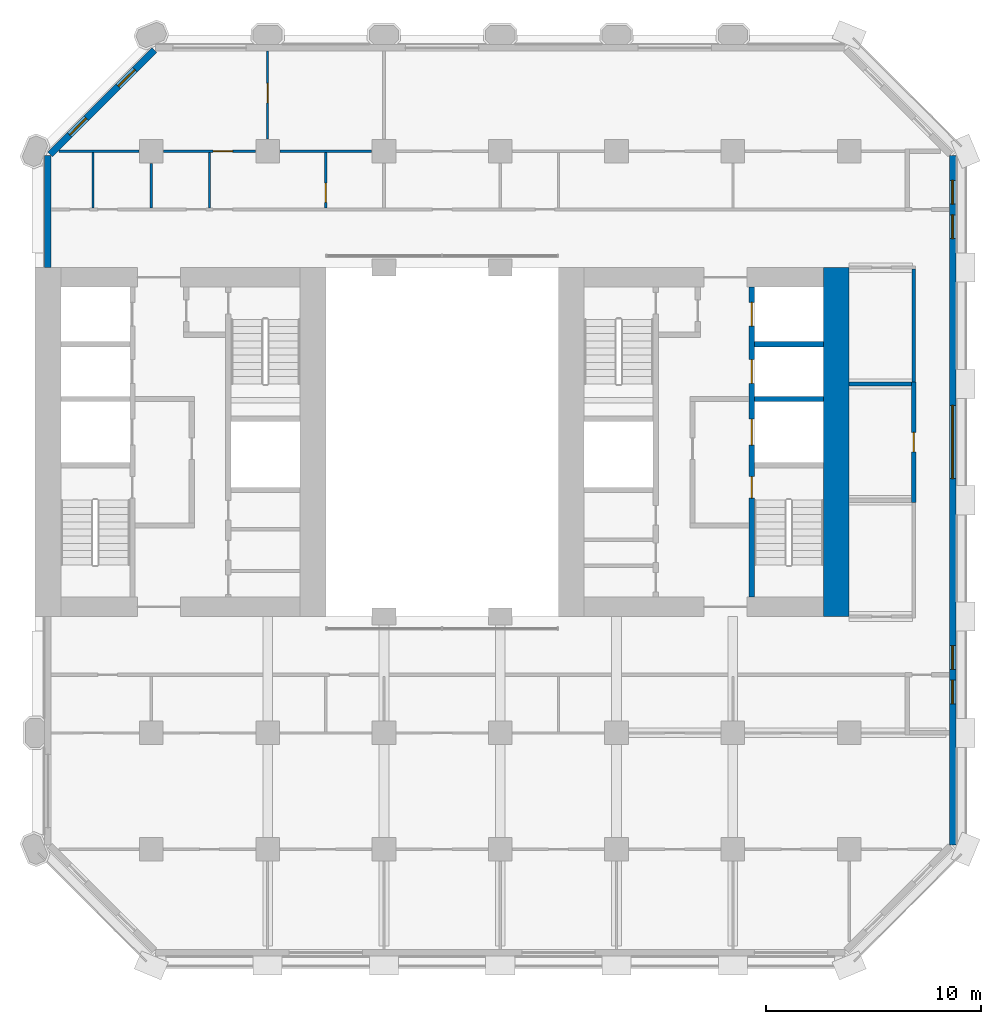
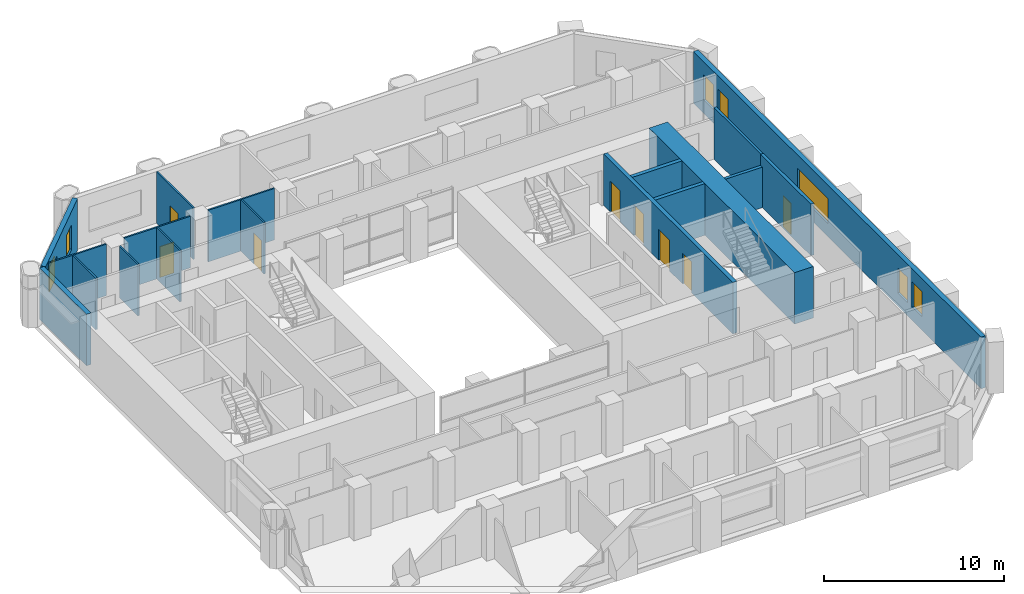
# One storey, part 10 of 14: 18 walls, 8 doors, 7 windows, 15 openings.
"""IFC4 building model written with IfcOpenShell, lengths in metres."""

from ifc_helpers import new_model, si_unit, direction, frame, frame_2d, origin, place, context, subcontext, project, spatial, rectangle, extrude, material, layer, layer_set, type_object, element, fill, save


model = new_model("IFC4")

# Units and contexts
model_context = context("Model", 3, precision=1e-05, world=origin(), true_north=direction((0.0, 1.0)))
body_context = subcontext(model_context, "Body", "Model", "MODEL_VIEW")
ifc_project = project(units=[si_unit("LENGTHUNIT", "METRE"), si_unit("AREAUNIT", "SQUARE_METRE"), si_unit("VOLUMEUNIT", "CUBIC_METRE"), si_unit("PLANEANGLEUNIT", "RADIAN"), si_unit("MASSUNIT", "GRAM", prefix="KILO")], contexts=[model_context])

# Site, building, storey
site_placement = place(None, origin())
site = spatial("IfcSite", under=ifc_project, at=site_placement, CompositionType="ELEMENT")
building_placement = place(site_placement, origin())
building = spatial("IfcBuilding", under=site, at=building_placement, Name="Tabaq Tower and Sports Hall", CompositionType="ELEMENT")
storey_placement = place(building_placement, frame((0.0, 0.0, 52.60009765625)))
storey = spatial("IfcBuildingStorey", under=building, at=storey_placement, Name="L11", CompositionType="ELEMENT", Elevation=52.60009765625)

# Wall
ifc_material_1 = material(Name="Concrete C60/75", Category="concrete")
ifc_layer_1 = layer(ifc_material_1, 1.199951171875)
ifc_layer_set_1 = layer_set([ifc_layer_1], Name="Core wall 1200 Concrete C60/75")
wall_type_1 = type_object("IfcWallType", Name="Core wall 1200 Concrete C60/75", PredefinedType="SOLIDWALL", material=ifc_layer_set_1)
wall_1_placement = place(storey_placement, frame((42.60009765625, 32.39990234375, 0.0), z_axis=(0.0, 0.0, 1.0), x_axis=(0.0, -1.0, 0.0)))
element("IfcWall", 1, at=wall_1_placement, inside=storey, type_object=wall_type_1, Name="Core wall E L11", PredefinedType="SOLIDWALL", context=body_context, shape_type="SweptSolid", body=[
    extrude(rectangle(XDim=16.199951171875, YDim=1.199951171875, at=frame_2d((8.10009765625, 0.0))), origin(), (0.0, 0.0, 1.0), 3.5),
])

# Wall, opening, door
ifc_material_2 = material(Name="Blockwork", Category="masonry")
ifc_layer_2 = layer(ifc_material_2, 0.199951171875)
ifc_layer_set_2 = layer_set([ifc_layer_2], Name="Fire compartment wall 200 Blockwork")
wall_type_2 = type_object("IfcWallType", Name="Fire compartment wall 200 Blockwork", PredefinedType="PARTITIONING", material=ifc_layer_set_2)
wall_2_placement = place(storey_placement, frame((46.199951171875, 27.10009765625, 0.0), z_axis=(0.0, 0.0, 1.0), x_axis=(0.0, -1.0, 0.0)))
wall_2 = element("IfcWall", 2, at=wall_2_placement, inside=storey, type_object=wall_type_2, Name="Compartment wall L11", PredefinedType="PARTITIONING", context=body_context, shape_type="SweptSolid", body=[
    extrude(rectangle(XDim=5.60009765625, YDim=0.199951171875, at=frame_2d((2.800048828125, 0.0))), origin(), (0.0, 0.0, 1.0), 3.5),
])
opening_1_placement = place(wall_2_placement, frame((2.35009765625, 0.0, 0.0)))
opening_1 = element("IfcOpeningElement", 3, at=opening_1_placement, cuts=wall_2, Name="Opening L11-009", PredefinedType="OPENING", context=body_context, shape_type="SweptSolid", body=[
    extrude(rectangle(XDim=0.89990234375, YDim=2.10009765625, at=frame_2d((0.449951171875, 1.050048828125))), frame((0.0, 0.10009765625, 0.0), z_axis=(0.0, -1.0, 0.0), x_axis=(1.0, 0.0, 0.0)), (0.0, 0.0, 1.0), 0.199951171875),
])
ifc_material_3 = material(Name="Steel fire door", Category="steel")
door_type_1 = type_object("IfcDoorType", Name="Plant room door 900 right hand", OperationType="SINGLE_SWING_RIGHT", PredefinedType="DOOR", material=ifc_material_3)
door_1_placement = place(opening_1_placement, origin())
door_1 = element("IfcDoor", 4, at=door_1_placement, inside=storey, type_object=door_type_1, Name="Plant room door L11-009", OperationType="SINGLE_SWING_RIGHT", OverallHeight=2.10009765625, OverallWidth=0.89990234375, PredefinedType="DOOR", context=body_context, shape_type="SweptSolid", body=[
    extrude(rectangle(XDim=0.89990234375, YDim=2.10009765625, at=frame_2d((0.449951171875, 1.050048828125))), frame((0.0, 0.02490234375, 0.0), z_axis=(0.0, -1.0, 0.0), x_axis=(1.0, 0.0, 0.0)), (0.0, 0.0, 1.0), 0.050048828125),
])
fill(opening_1, door_1)

# Walls
wall_3_placement = place(storey_placement, frame((46.10009765625, 27.0, 0.0), z_axis=(0.0, 0.0, 1.0), x_axis=(-1.0, 0.0, 0.0)))
element("IfcWall", 5, at=wall_3_placement, inside=storey, type_object=wall_type_2, Name="Compartment wall L11", PredefinedType="PARTITIONING", context=body_context, shape_type="SweptSolid", body=[
    extrude(rectangle(XDim=2.900146484375, YDim=0.199951171875, at=frame_2d((1.4501953125, 0.0))), origin(), (0.0, 0.0, 1.0), 2.75),
])
ifc_material_4 = material(Name="Gypsum board on steel studs", Category="steel")
ifc_layer_3 = layer(ifc_material_4, 0.10009765625)
ifc_layer_set_3 = layer_set([ifc_layer_3], Name="Partition 100 Gypsum board")
wall_type_3 = type_object("IfcWallType", Name="Partition 100 Gypsum board", PredefinedType="PARTITIONING", material=ifc_layer_set_3)
wall_4_placement = place(storey_placement, frame((8.10009765625, 35.175048828125, 0.0), z_axis=(0.0, 0.0, 1.0), x_axis=(0.0, 1.0, 0.0)))
element("IfcWall", 6, at=wall_4_placement, inside=storey, type_object=wall_type_3, Name="Partition wall L11", PredefinedType="PARTITIONING", context=body_context, shape_type="SweptSolid", body=[
    extrude(rectangle(XDim=2.574951171875, YDim=0.10009765625, at=frame_2d((1.28759765625, 0.0))), origin(), (0.0, 0.0, 1.0), 3.5),
])
wall_5_placement = place(storey_placement, frame((10.800048828125, 35.175048828125, 0.0), z_axis=(0.0, 0.0, 1.0), x_axis=(0.0, 1.0, 0.0)))
element("IfcWall", 7, at=wall_5_placement, inside=storey, type_object=wall_type_3, Name="Partition wall L11", PredefinedType="PARTITIONING", context=body_context, shape_type="SweptSolid", body=[
    extrude(rectangle(XDim=2.054931640625, YDim=0.10009765625, at=frame_2d((1.02734375, 0.0))), origin(), (0.0, 0.0, 1.0), 3.5),
])
wall_6_placement = place(storey_placement, frame((10.22998046875, 37.800048828125, 0.0), z_axis=(0.0, 0.0, 1.0), x_axis=(-1.0, 0.0, 0.0)))
element("IfcWall", 8, at=wall_6_placement, inside=storey, type_object=wall_type_3, Name="Partition wall L11", PredefinedType="PARTITIONING", context=body_context, shape_type="SweptSolid", body=[
    extrude(rectangle(XDim=3.7177734375, YDim=0.10009765625, at=frame_2d((1.85888671875, 0.0))), origin(), (0.0, 0.0, 1.0), 3.5),
])
wall_7_placement = place(storey_placement, frame((13.5, 35.175048828125, 0.0), z_axis=(0.0, 0.0, 1.0), x_axis=(0.0, 1.0, 0.0)))
element("IfcWall", 9, at=wall_7_placement, inside=storey, type_object=wall_type_3, Name="Partition wall L11", PredefinedType="PARTITIONING", context=body_context, shape_type="SweptSolid", body=[
    extrude(rectangle(XDim=2.574951171875, YDim=0.10009765625, at=frame_2d((1.28759765625, 0.0))), origin(), (0.0, 0.0, 1.0), 3.5),
])

# Wall, opening, door
wall_8_placement = place(storey_placement, frame((18.89990234375, 35.175048828125, 0.0), z_axis=(0.0, 0.0, 1.0), x_axis=(0.0, 1.0, 0.0)))
wall_8 = element("IfcWall", 10, at=wall_8_placement, inside=storey, type_object=wall_type_3, Name="Partition wall L11", PredefinedType="PARTITIONING", context=body_context, shape_type="SweptSolid", body=[
    extrude(rectangle(XDim=2.574951171875, YDim=0.10009765625, at=frame_2d((1.28759765625, 0.0))), origin(), (0.0, 0.0, 1.0), 3.5),
])
opening_2_placement = place(wall_8_placement, frame((0.25, 0.0, 0.0)))
opening_2 = element("IfcOpeningElement", 11, at=opening_2_placement, cuts=wall_8, Name="Opening L11-011", PredefinedType="OPENING", context=body_context, shape_type="SweptSolid", body=[
    extrude(rectangle(XDim=0.89990234375, YDim=2.10009765625, at=frame_2d((0.449951171875, 1.050048828125))), frame((0.0, 0.050048828125, 0.0), z_axis=(0.0, -1.0, 0.0), x_axis=(1.0, 0.0, 0.0)), (0.0, 0.0, 1.0), 0.10009765625),
])
ifc_material_5 = material(Name="Timber leaf in steel frame", Category="steel")
door_type_2 = type_object("IfcDoorType", Name="Internal door 900 left hand", OperationType="SINGLE_SWING_LEFT", PredefinedType="DOOR", material=ifc_material_5)
door_2_placement = place(opening_2_placement, origin())
door_2 = element("IfcDoor", 12, at=door_2_placement, inside=storey, type_object=door_type_2, Name="Internal door L11-011", OperationType="SINGLE_SWING_LEFT", OverallHeight=2.10009765625, OverallWidth=0.89990234375, PredefinedType="DOOR", context=body_context, shape_type="SweptSolid", body=[
    extrude(rectangle(XDim=0.89990234375, YDim=2.10009765625, at=frame_2d((0.449951171875, 1.050048828125))), frame((0.0, 0.02490234375, 0.0), z_axis=(0.0, -1.0, 0.0), x_axis=(1.0, 0.0, 0.0)), (0.0, 0.0, 1.0), 0.050048828125),
])
fill(opening_2, door_2)

wall_9_placement = place(storey_placement, frame((15.6298828125, 37.800048828125, 0.0), z_axis=(0.0, 0.0, 1.0), x_axis=(-1.0, 0.0, 0.0)))
wall_9 = element("IfcWall", 13, at=wall_9_placement, inside=storey, type_object=wall_type_3, Name="Partition wall L11", PredefinedType="PARTITIONING", context=body_context, shape_type="SweptSolid", body=[
    extrude(rectangle(XDim=4.259765625, YDim=0.10009765625, at=frame_2d((2.1298828125, 0.0))), origin(), (0.0, 0.0, 1.0), 3.5),
])
opening_3_placement = place(wall_9_placement, frame((1.06005859375, 0.0, 0.0)))
opening_3 = element("IfcOpeningElement", 14, at=opening_3_placement, cuts=wall_9, Name="Opening L11-028", PredefinedType="OPENING", context=body_context, shape_type="SweptSolid", body=[
    extrude(rectangle(XDim=0.89990234375, YDim=2.10009765625, at=frame_2d((0.449951171875, 1.050048828125))), frame((0.0, 0.050048828125, 0.0), z_axis=(0.0, -1.0, 0.0), x_axis=(1.0, 0.0, 0.0)), (0.0, 0.0, 1.0), 0.10009765625),
])
door_3_placement = place(opening_3_placement, origin())
door_3 = element("IfcDoor", 15, at=door_3_placement, inside=storey, type_object=door_type_2, Name="Internal door L11-028", OperationType="SINGLE_SWING_LEFT", OverallHeight=2.10009765625, OverallWidth=0.89990234375, PredefinedType="DOOR", context=body_context, shape_type="SweptSolid", body=[
    extrude(rectangle(XDim=0.89990234375, YDim=2.10009765625, at=frame_2d((0.449951171875, 1.050048828125))), frame((0.0, 0.02490234375, 0.0), z_axis=(0.0, -1.0, 0.0), x_axis=(1.0, 0.0, 0.0)), (0.0, 0.0, 1.0), 0.050048828125),
])
fill(opening_3, door_3)

# Wall
wall_10_placement = place(storey_placement, frame((21.030029296875, 37.800048828125, 0.0), z_axis=(0.0, 0.0, 1.0), x_axis=(-1.0, 0.0, 0.0)))
element("IfcWall", 16, at=wall_10_placement, inside=storey, type_object=wall_type_3, Name="Partition wall L11", PredefinedType="PARTITIONING", context=body_context, shape_type="SweptSolid", body=[
    extrude(rectangle(XDim=4.260009765625, YDim=0.10009765625, at=frame_2d((2.1298828125, 0.0))), origin(), (0.0, 0.0, 1.0), 3.5),
])

# Wall, opening, door
wall_11_placement = place(storey_placement, frame((16.199951171875, 38.3701171875, 0.0), z_axis=(0.0, 0.0, 1.0), x_axis=(0.0, 1.0, 0.0)))
wall_11 = element("IfcWall", 17, at=wall_11_placement, inside=storey, type_object=wall_type_3, Name="Partition wall L11", PredefinedType="PARTITIONING", context=body_context, shape_type="SweptSolid", body=[
    extrude(rectangle(XDim=4.078857421875, YDim=0.10009765625, at=frame_2d((2.03955078125, 0.0))), origin(), (0.0, 0.0, 1.0), 3.5),
])
opening_4_placement = place(wall_11_placement, frame((1.679931640625, 0.0, 0.0)))
opening_4 = element("IfcOpeningElement", 18, at=opening_4_placement, cuts=wall_11, Name="Opening L11-012", PredefinedType="OPENING", context=body_context, shape_type="SweptSolid", body=[
    extrude(rectangle(XDim=0.89990234375, YDim=2.10009765625, at=frame_2d((0.449951171875, 1.050048828125))), frame((0.0, 0.050048828125, 0.0), z_axis=(0.0, -1.0, 0.0), x_axis=(1.0, 0.0, 0.0)), (0.0, 0.0, 1.0), 0.10009765625),
])
door_4_placement = place(opening_4_placement, origin())
door_4 = element("IfcDoor", 19, at=door_4_placement, inside=storey, type_object=door_type_2, Name="Internal door L11-012", OperationType="SINGLE_SWING_LEFT", OverallHeight=2.10009765625, OverallWidth=0.89990234375, PredefinedType="DOOR", context=body_context, shape_type="SweptSolid", body=[
    extrude(rectangle(XDim=0.89990234375, YDim=2.10009765625, at=frame_2d((0.449951171875, 1.050048828125))), frame((0.0, 0.02490234375, 0.0), z_axis=(0.0, -1.0, 0.0), x_axis=(1.0, 0.0, 0.0)), (0.0, 0.0, 1.0), 0.050048828125),
])
fill(opening_4, door_4)

# Wall
ifc_material_6 = material(Name="Blockwork", Category="masonry")
ifc_layer_4 = layer(ifc_material_6, 0.14990234375)
ifc_layer_set_4 = layer_set([ifc_layer_4], Name="Separating wall 150 Blockwork")
wall_type_4 = type_object("IfcWallType", Name="Separating wall 150 Blockwork", PredefinedType="PARTITIONING", material=ifc_layer_set_4)
wall_12_placement = place(storey_placement, frame((46.199951171875, 32.324951171875, 0.0), z_axis=(0.0, 0.0, 1.0), x_axis=(0.0, -1.0, 0.0)))
element("IfcWall", 20, at=wall_12_placement, inside=storey, type_object=wall_type_4, Name="Separating wall L11", PredefinedType="PARTITIONING", context=body_context, shape_type="SweptSolid", body=[
    extrude(rectangle(XDim=5.224853515625, YDim=0.14990234375, at=frame_2d((2.6123046875, 0.0))), origin(), (0.0, 0.0, 1.0), 3.5),
])

# Wall, openings, doors
ifc_material_7 = material(Name="Concrete C40/50", Category="concrete")
ifc_layer_5 = layer(ifc_material_7, 0.25)
ifc_layer_set_5 = layer_set([ifc_layer_5], Name="Shaft and stair wall 250 Concrete C40/50")
wall_type_5 = type_object("IfcWallType", Name="Shaft and stair wall 250 Concrete C40/50", PredefinedType="SOLIDWALL", material=ifc_layer_set_5)
wall_13_placement = place(storey_placement, frame((38.675048828125, 17.10009765625, 0.0), z_axis=(0.0, 0.0, 1.0), x_axis=(0.0, 1.0, 0.0)))
wall_13 = element("IfcWall", 21, at=wall_13_placement, inside=storey, type_object=wall_type_5, Name="Shaft wall E L11", PredefinedType="SOLIDWALL", context=body_context, shape_type="SweptSolid", body=[
    extrude(rectangle(XDim=14.39990234375, YDim=0.25, at=frame_2d((7.199951171875, 0.0))), origin(), (0.0, 0.0, 1.0), 3.5),
])
opening_5_placement = place(wall_13_placement, frame((4.60009765625, 0.0, 0.0)))
opening_5 = element("IfcOpeningElement", 22, at=opening_5_placement, cuts=wall_13, Name="Opening SD-EL11-03", PredefinedType="OPENING", context=body_context, shape_type="SweptSolid", body=[
    extrude(rectangle(XDim=1.0, YDim=2.10009765625, at=frame_2d((0.5, 1.050048828125))), frame((0.0, 0.125, 0.0), z_axis=(0.0, -1.0, 0.0), x_axis=(1.0, 0.0, 0.0)), (0.0, 0.0, 1.0), 0.25),
])
opening_6_placement = place(wall_13_placement, frame((7.0625, 0.0, 0.0)))
opening_6 = element("IfcOpeningElement", 23, at=opening_6_placement, cuts=wall_13, Name="Opening LD-FF2-L11", PredefinedType="OPENING", context=body_context, shape_type="SweptSolid", body=[
    extrude(rectangle(XDim=1.199951171875, YDim=2.10009765625, at=frame_2d((0.60009765625, 1.050048828125))), frame((0.0, 0.125, 0.0), z_axis=(0.0, -1.0, 0.0), x_axis=(1.0, 0.0, 0.0)), (0.0, 0.0, 1.0), 0.25),
])
opening_7_placement = place(wall_13_placement, frame((9.925048828125, 0.0, 0.0)))
opening_7 = element("IfcOpeningElement", 24, at=opening_7_placement, cuts=wall_13, Name="Opening LD-LR3-L11", PredefinedType="OPENING", context=body_context, shape_type="SweptSolid", body=[
    extrude(rectangle(XDim=1.10009765625, YDim=2.10009765625, at=frame_2d((0.550048828125, 1.050048828125))), frame((0.0, 0.125, 0.0), z_axis=(0.0, -1.0, 0.0), x_axis=(1.0, 0.0, 0.0)), (0.0, 0.0, 1.0), 0.25),
])
opening_8_placement = place(wall_13_placement, frame((12.58740234375, 0.0, 0.0)))
opening_8 = element("IfcOpeningElement", 25, at=opening_8_placement, cuts=wall_13, Name="Opening LD-LR4-L11", PredefinedType="OPENING", context=body_context, shape_type="SweptSolid", body=[
    extrude(rectangle(XDim=1.10009765625, YDim=2.10009765625, at=frame_2d((0.550048828125, 1.050048828125))), frame((0.0, 0.125, 0.0), z_axis=(0.0, -1.0, 0.0), x_axis=(1.0, 0.0, 0.0)), (0.0, 0.0, 1.0), 0.25),
])
ifc_material_8 = material(Name="Stainless steel", Category="steel")
door_type_3 = type_object("IfcDoorType", Name="Lift landing door 1100", OperationType="DOUBLE_DOOR_SLIDING", PredefinedType="DOOR", material=ifc_material_8)
door_5_placement = place(opening_7_placement, origin())
door_5 = element("IfcDoor", 26, at=door_5_placement, inside=storey, type_object=door_type_3, Name="Lift landing door LR3 E L11", OperationType="DOUBLE_DOOR_SLIDING", OverallHeight=2.10009765625, OverallWidth=1.10009765625, PredefinedType="DOOR", context=body_context, shape_type="SweptSolid", body=[
    extrude(rectangle(XDim=1.10009765625, YDim=2.10009765625, at=frame_2d((0.550048828125, 1.050048828125))), frame((0.0, 0.02490234375, 0.0), z_axis=(0.0, -1.0, 0.0), x_axis=(1.0, 0.0, 0.0)), (0.0, 0.0, 1.0), 0.050048828125),
])
fill(opening_7, door_5)
door_6_placement = place(opening_8_placement, origin())
door_6 = element("IfcDoor", 27, at=door_6_placement, inside=storey, type_object=door_type_3, Name="Lift landing door LR4 E L11", OperationType="DOUBLE_DOOR_SLIDING", OverallHeight=2.10009765625, OverallWidth=1.10009765625, PredefinedType="DOOR", context=body_context, shape_type="SweptSolid", body=[
    extrude(rectangle(XDim=1.10009765625, YDim=2.10009765625, at=frame_2d((0.550048828125, 1.050048828125))), frame((0.0, 0.02490234375, 0.0), z_axis=(0.0, -1.0, 0.0), x_axis=(1.0, 0.0, 0.0)), (0.0, 0.0, 1.0), 0.050048828125),
])
fill(opening_8, door_6)
ifc_material_9 = material(Name="Stainless steel", Category="steel")
door_type_4 = type_object("IfcDoorType", Name="Lift landing door 1200", OperationType="DOUBLE_DOOR_SLIDING", PredefinedType="DOOR", material=ifc_material_9)
door_7_placement = place(opening_6_placement, origin())
door_7 = element("IfcDoor", 28, at=door_7_placement, inside=storey, type_object=door_type_4, Name="Lift landing door FF2 E L11", OperationType="DOUBLE_DOOR_SLIDING", OverallHeight=2.10009765625, OverallWidth=1.199951171875, PredefinedType="DOOR", context=body_context, shape_type="SweptSolid", body=[
    extrude(rectangle(XDim=1.199951171875, YDim=2.10009765625, at=frame_2d((0.60009765625, 1.050048828125))), frame((0.0, 0.02490234375, 0.0), z_axis=(0.0, -1.0, 0.0), x_axis=(1.0, 0.0, 0.0)), (0.0, 0.0, 1.0), 0.050048828125),
])
fill(opening_6, door_7)
ifc_material_10 = material(Name="Steel fire door", Category="steel")
door_type_5 = type_object("IfcDoorType", Name="Stair door 1000", OperationType="SINGLE_SWING_LEFT", PredefinedType="DOOR", material=ifc_material_10)
door_8_placement = place(opening_5_placement, origin())
door_8 = element("IfcDoor", 29, at=door_8_placement, inside=storey, type_object=door_type_5, Name="Stair door ST3 E L11", OperationType="SINGLE_SWING_LEFT", OverallHeight=2.10009765625, OverallWidth=1.0, PredefinedType="DOOR", context=body_context, shape_type="SweptSolid", body=[
    extrude(rectangle(XDim=1.0, YDim=2.10009765625, at=frame_2d((0.5, 1.050048828125))), frame((0.0, 0.02490234375, 0.0), z_axis=(0.0, -1.0, 0.0), x_axis=(1.0, 0.0, 0.0)), (0.0, 0.0, 1.0), 0.050048828125),
])
fill(opening_5, door_8)

# Walls
for number, where, z_axis, x_axis, name in (
    (30, (38.800048828125, 26.300048828125, 0.0), (0.0, 0.0, 1.0), (1.0, 0.0, 0.0), "Shaft wall E L11"),
    (31, (38.800048828125, 28.85009765625, 0.0), (0.0, 0.0, 1.0), (1.0, 0.0, 0.0), "Shaft wall E L11"),
):
    element("IfcWall", number, at=place(storey_placement, frame(where, z_axis=z_axis, x_axis=x_axis)), inside=storey, type_object=wall_type_5, Name=name, PredefinedType="SOLIDWALL", context=body_context, shape_type="SweptSolid", body=[
        extrude(rectangle(XDim=3.199951171875, YDim=0.25, at=frame_2d((1.60009765625, 0.0))), origin(), (0.0, 0.0, 1.0), 3.5),
    ])

# Wall, openings, windows
ifc_material_11 = material(Name="White precast concrete C60/75", Category="concrete")
ifc_layer_6 = layer(ifc_material_11, 0.300048828125)
ifc_layer_set_6 = layer_set([ifc_layer_6], Name="White precast concrete C60/75 external wall 300")
wall_type_6 = type_object("IfcWallType", Name="White precast concrete C60/75 external wall 300", PredefinedType="SOLIDWALL", material=ifc_layer_set_6)
wall_14_placement = place(storey_placement, frame((48.0, 5.58642578125, 0.0), z_axis=(0.0, 0.0, 1.0), x_axis=(0.0, 1.0, 0.0)))
wall_14 = element("IfcWall", 32, at=wall_14_placement, inside=storey, type_object=wall_type_6, Name="External Wall L11 E", PredefinedType="SOLIDWALL", context=body_context, shape_type="SweptSolid", body=[
    extrude(rectangle(XDim=32.027099609375, YDim=0.300048828125, at=frame_2d((16.013671875, 0.0))), origin(), (0.0, 0.0, 1.0), 3.5),
])
opening_9_placement = place(wall_14_placement, frame((6.563720703125, 0.0, 0.89990234375)))
opening_9 = element("IfcOpeningElement", 33, at=opening_9_placement, cuts=wall_14, Name="Opening W1B", PredefinedType="OPENING", context=body_context, shape_type="SweptSolid", body=[
    extrude(rectangle(XDim=1.10009765625, YDim=1.699951171875, at=frame_2d((0.550048828125, 0.85009765625))), frame((0.0, 0.16015625, 0.0), z_axis=(0.0, -1.0, 0.0), x_axis=(1.0, 0.0, 0.0)), (0.0, 0.0, 1.0), 0.320068359375),
])
opening_10_placement = place(wall_14_placement, frame((8.16357421875, 0.0, 0.89990234375)))
opening_10 = element("IfcOpeningElement", 34, at=opening_10_placement, cuts=wall_14, Name="Opening W1B", PredefinedType="OPENING", context=body_context, shape_type="SweptSolid", body=[
    extrude(rectangle(XDim=1.10009765625, YDim=1.699951171875, at=frame_2d((0.550048828125, 0.85009765625))), frame((0.0, 0.16015625, 0.0), z_axis=(0.0, -1.0, 0.0), x_axis=(1.0, 0.0, 0.0)), (0.0, 0.0, 1.0), 0.320068359375),
])
opening_11_placement = place(wall_14_placement, frame((17.013671875, 0.0, 0.89990234375)))
opening_11 = element("IfcOpeningElement", 35, at=opening_11_placement, cuts=wall_14, Name="Opening W1A", PredefinedType="OPENING", context=body_context, shape_type="SweptSolid", body=[
    extrude(rectangle(XDim=3.39990234375, YDim=1.699951171875, at=frame_2d((1.699951171875, 0.85009765625))), frame((0.0, 0.16015625, 0.0), z_axis=(0.0, -1.0, 0.0), x_axis=(1.0, 0.0, 0.0)), (0.0, 0.0, 1.0), 0.320068359375),
])
opening_12_placement = place(wall_14_placement, frame((28.16357421875, 0.0, 0.89990234375)))
opening_12 = element("IfcOpeningElement", 36, at=opening_12_placement, cuts=wall_14, Name="Opening W1B", PredefinedType="OPENING", context=body_context, shape_type="SweptSolid", body=[
    extrude(rectangle(XDim=1.10009765625, YDim=1.699951171875, at=frame_2d((0.550048828125, 0.85009765625))), frame((0.0, 0.16015625, 0.0), z_axis=(0.0, -1.0, 0.0), x_axis=(1.0, 0.0, 0.0)), (0.0, 0.0, 1.0), 0.320068359375),
])
opening_13_placement = place(wall_14_placement, frame((29.763671875, 0.0, 0.89990234375)))
opening_13 = element("IfcOpeningElement", 37, at=opening_13_placement, cuts=wall_14, Name="Opening W1B", PredefinedType="OPENING", context=body_context, shape_type="SweptSolid", body=[
    extrude(rectangle(XDim=1.10009765625, YDim=1.699951171875, at=frame_2d((0.550048828125, 0.85009765625))), frame((0.0, 0.16015625, 0.0), z_axis=(0.0, -1.0, 0.0), x_axis=(1.0, 0.0, 0.0)), (0.0, 0.0, 1.0), 0.320068359375),
])
ifc_material_12 = material(Name="Aluminium framed clear glazing", Category="aluminium")
window_type_1 = type_object("IfcWindowType", Name="Window W1A", PartitioningType="SINGLE_PANEL", PredefinedType="WINDOW", material=ifc_material_12)
window_1_placement = place(opening_11_placement, origin())
window_1 = element("IfcWindow", 38, at=window_1_placement, inside=storey, type_object=window_type_1, Name="Window W1A L11", OverallHeight=1.699951171875, OverallWidth=3.39990234375, PartitioningType="SINGLE_PANEL", PredefinedType="WINDOW", context=body_context, shape_type="SweptSolid", body=[
    extrude(rectangle(XDim=3.39990234375, YDim=1.699951171875, at=frame_2d((1.699951171875, 0.85009765625))), frame((0.0, 0.030029296875, 0.0), z_axis=(0.0, -1.0, 0.0), x_axis=(1.0, 0.0, 0.0)), (0.0, 0.0, 1.0), 0.06005859375),
])
fill(opening_11, window_1)
ifc_material_13 = material(Name="Aluminium framed clear glazing", Category="aluminium")
window_type_2 = type_object("IfcWindowType", Name="Window W1B", PartitioningType="SINGLE_PANEL", PredefinedType="WINDOW", material=ifc_material_13)
window_2_placement = place(opening_9_placement, origin())
window_2 = element("IfcWindow", 39, at=window_2_placement, inside=storey, type_object=window_type_2, Name="Window W1B L11", OverallHeight=1.699951171875, OverallWidth=1.10009765625, PartitioningType="SINGLE_PANEL", PredefinedType="WINDOW", context=body_context, shape_type="SweptSolid", body=[
    extrude(rectangle(XDim=1.10009765625, YDim=1.699951171875, at=frame_2d((0.550048828125, 0.85009765625))), frame((0.0, 0.030029296875, 0.0), z_axis=(0.0, -1.0, 0.0), x_axis=(1.0, 0.0, 0.0)), (0.0, 0.0, 1.0), 0.06005859375),
])
fill(opening_9, window_2)
window_3_placement = place(opening_10_placement, origin())
window_3 = element("IfcWindow", 40, at=window_3_placement, inside=storey, type_object=window_type_2, Name="Window W1B L11", OverallHeight=1.699951171875, OverallWidth=1.10009765625, PartitioningType="SINGLE_PANEL", PredefinedType="WINDOW", context=body_context, shape_type="SweptSolid", body=[
    extrude(rectangle(XDim=1.10009765625, YDim=1.699951171875, at=frame_2d((0.550048828125, 0.85009765625))), frame((0.0, 0.030029296875, 0.0), z_axis=(0.0, -1.0, 0.0), x_axis=(1.0, 0.0, 0.0)), (0.0, 0.0, 1.0), 0.06005859375),
])
fill(opening_10, window_3)
window_4_placement = place(opening_12_placement, origin())
window_4 = element("IfcWindow", 41, at=window_4_placement, inside=storey, type_object=window_type_2, Name="Window W1B L11", OverallHeight=1.699951171875, OverallWidth=1.10009765625, PartitioningType="SINGLE_PANEL", PredefinedType="WINDOW", context=body_context, shape_type="SweptSolid", body=[
    extrude(rectangle(XDim=1.10009765625, YDim=1.699951171875, at=frame_2d((0.550048828125, 0.85009765625))), frame((0.0, 0.030029296875, 0.0), z_axis=(0.0, -1.0, 0.0), x_axis=(1.0, 0.0, 0.0)), (0.0, 0.0, 1.0), 0.06005859375),
])
fill(opening_12, window_4)
window_5_placement = place(opening_13_placement, origin())
window_5 = element("IfcWindow", 42, at=window_5_placement, inside=storey, type_object=window_type_2, Name="Window W1B L11", OverallHeight=1.699951171875, OverallWidth=1.10009765625, PartitioningType="SINGLE_PANEL", PredefinedType="WINDOW", context=body_context, shape_type="SweptSolid", body=[
    extrude(rectangle(XDim=1.10009765625, YDim=1.699951171875, at=frame_2d((0.550048828125, 0.85009765625))), frame((0.0, 0.030029296875, 0.0), z_axis=(0.0, -1.0, 0.0), x_axis=(1.0, 0.0, 0.0)), (0.0, 0.0, 1.0), 0.06005859375),
])
fill(opening_13, window_5)

wall_15_placement = place(storey_placement, frame((10.949462890625, 42.5009765625, 0.0), z_axis=(0.0, 0.0, 1.0), x_axis=(-0.707106781187, -0.707106781187, 0.0)))
wall_15 = element("IfcWall", 43, at=wall_15_placement, inside=storey, type_object=wall_type_6, Name="External Wall L11 NW", PredefinedType="SOLIDWALL", context=body_context, shape_type="SweptSolid", body=[
    extrude(rectangle(XDim=6.85986328125, YDim=0.300048828125, at=frame_2d((3.429931640625, 0.0))), origin(), (0.0, 0.0, 1.0), 3.5),
])
opening_14_placement = place(wall_15_placement, frame((1.27978515625, 0.0, 0.89990234375)))
opening_14 = element("IfcOpeningElement", 44, at=opening_14_placement, cuts=wall_15, Name="Opening W1B", PredefinedType="OPENING", context=body_context, shape_type="SweptSolid", body=[
    extrude(rectangle(XDim=1.10009765625, YDim=1.699951171875, at=frame_2d((0.550048828125, 0.85009765625))), frame((0.0, 0.16015625, 0.0), z_axis=(0.0, -1.0, 0.0), x_axis=(1.0, 0.0, 0.0)), (0.0, 0.0, 1.0), 0.320068359375),
])
opening_15_placement = place(wall_15_placement, frame((4.479736328125, 0.0, 0.89990234375)))
opening_15 = element("IfcOpeningElement", 45, at=opening_15_placement, cuts=wall_15, Name="Opening W1B", PredefinedType="OPENING", context=body_context, shape_type="SweptSolid", body=[
    extrude(rectangle(XDim=1.10009765625, YDim=1.699951171875, at=frame_2d((0.550048828125, 0.85009765625))), frame((0.0, 0.16015625, 0.0), z_axis=(0.0, -1.0, 0.0), x_axis=(1.0, 0.0, 0.0)), (0.0, 0.0, 1.0), 0.320068359375),
])
window_6_placement = place(opening_14_placement, origin())
window_6 = element("IfcWindow", 46, at=window_6_placement, inside=storey, type_object=window_type_2, Name="Window W1B L11", OverallHeight=1.699951171875, OverallWidth=1.10009765625, PartitioningType="SINGLE_PANEL", PredefinedType="WINDOW", context=body_context, shape_type="SweptSolid", body=[
    extrude(rectangle(XDim=1.10009765625, YDim=1.699951171875, at=frame_2d((0.550048828125, 0.85009765625))), frame((0.0, 0.030029296875, 0.0), z_axis=(0.0, -1.0, 0.0), x_axis=(1.0, 0.0, 0.0)), (0.0, 0.0, 1.0), 0.06005859375),
])
fill(opening_14, window_6)
window_7_placement = place(opening_15_placement, origin())
window_7 = element("IfcWindow", 47, at=window_7_placement, inside=storey, type_object=window_type_2, Name="Window W1B L11", OverallHeight=1.699951171875, OverallWidth=1.10009765625, PartitioningType="SINGLE_PANEL", PredefinedType="WINDOW", context=body_context, shape_type="SweptSolid", body=[
    extrude(rectangle(XDim=1.10009765625, YDim=1.699951171875, at=frame_2d((0.550048828125, 0.85009765625))), frame((0.0, 0.030029296875, 0.0), z_axis=(0.0, -1.0, 0.0), x_axis=(1.0, 0.0, 0.0)), (0.0, 0.0, 1.0), 0.06005859375),
])
fill(opening_15, window_7)

# Wall
wall_16_placement = place(storey_placement, frame((6.0, 37.613525390625, 0.0), z_axis=(0.0, 0.0, 1.0), x_axis=(0.0, -1.0, 0.0)))
element("IfcWall", 48, at=wall_16_placement, inside=storey, type_object=wall_type_6, Name="External Wall L11 W", PredefinedType="SOLIDWALL", context=body_context, shape_type="SweptSolid", body=[
    extrude(rectangle(XDim=5.213623046875, YDim=0.300048828125, at=frame_2d((2.60693359375, 0.0))), origin(), (0.0, 0.0, 1.0), 3.5),
])

save(model, "model.ifc")
